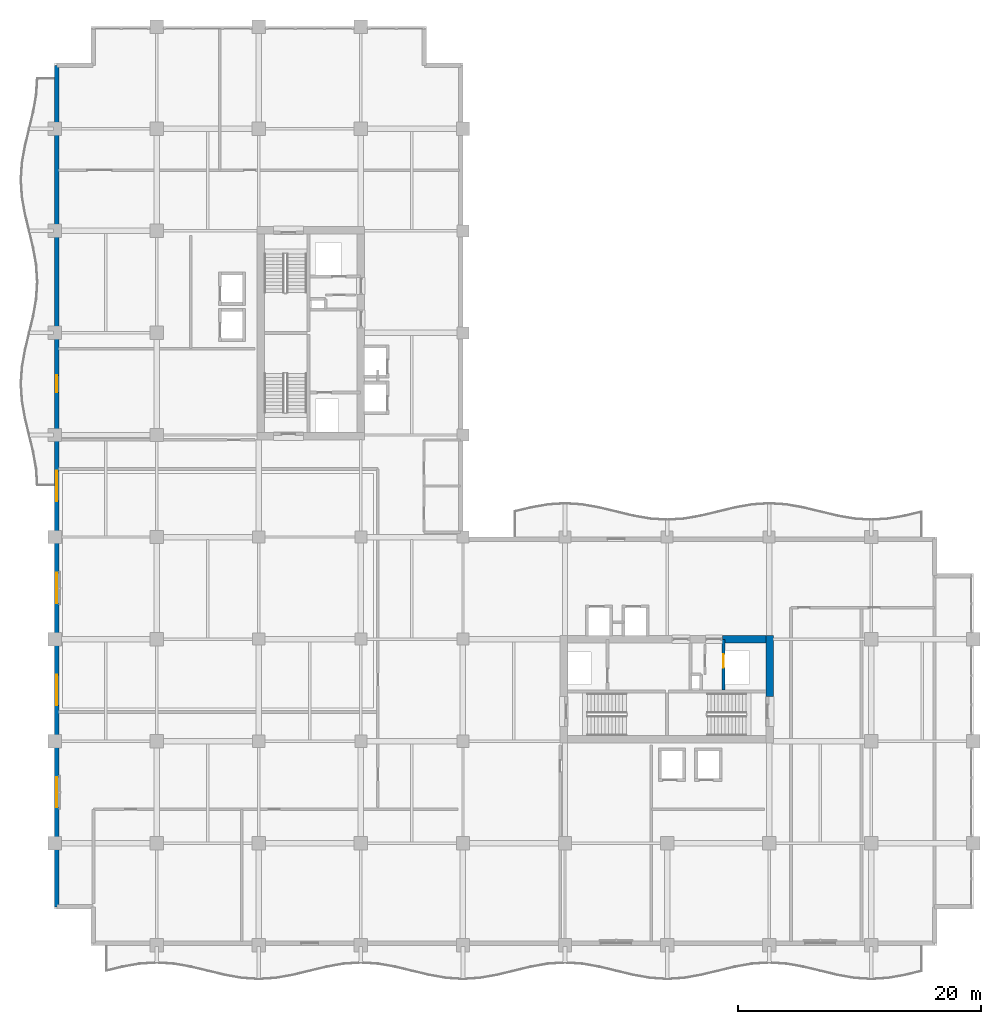
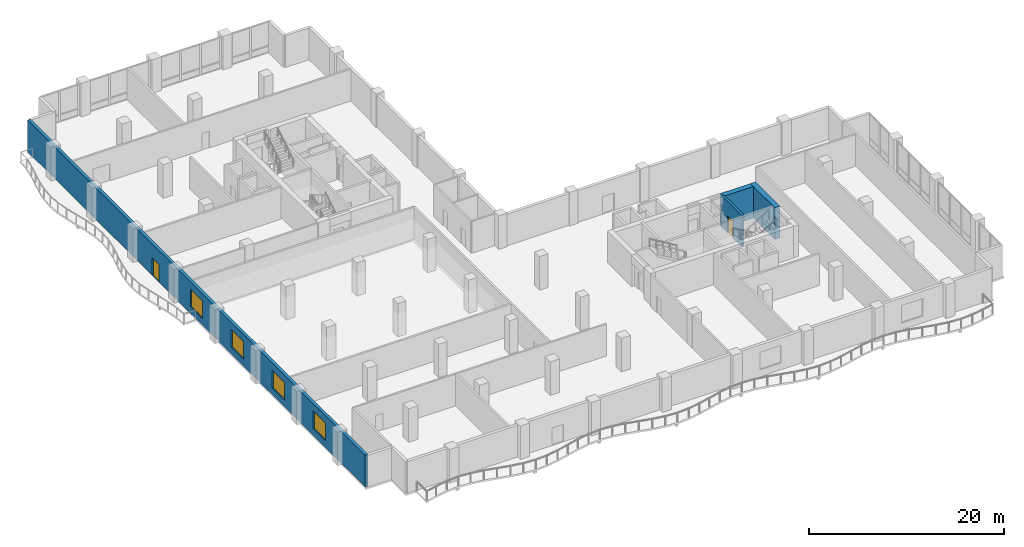
# One storey, part 12 of 22: 4 walls, 4 windows, 2 doors, 6 openings.
"""IFC4 building model written with IfcOpenShell, lengths in metres."""

import ifcopenshell
import ifcopenshell.guid

model = None  # the IFC model being written
_history = None  # IfcOwnerHistory: only IFC2X3 demands one
_inside = {}  # id of a spatial element -> (the spatial element, [elements in it])
_under = {}  # id of a project, library or spatial element -> (it, [spatial elements below it])
_declared = {}  # id of a project -> (the project, [libraries it declares])
_typed = {}  # id of a type object -> (the type object, [elements of that type])
_made_of = {}  # id of a material, layer set ... -> (it, [elements and type objects made of it])


def new_model(schema):
    """Start an empty IFC model of exactly this schema.

    Asked for "IFC4X3", IfcOpenShell would pick the latest addendum, in which some entities
    have other attributes; the version numbers below select the first issue.
    IFC2X3 requires an IfcOwnerHistory on every rooted entity: one is made here for all.
    """
    global model, _history
    if schema == "IFC4X3":
        model = ifcopenshell.file(schema_version=(4, 3, 0, 0))
    else:
        model = ifcopenshell.file(schema=schema)
    _inside.clear()
    _under.clear()
    _declared.clear()
    _typed.clear()
    _made_of.clear()
    _history = None
    if model.schema == "IFC2X3":
        org = make("IfcOrganization", Name="unknown")
        user = make(
            "IfcPersonAndOrganization",
            ThePerson=make("IfcPerson", FamilyName="unknown"),
            TheOrganization=org,
        )
        app = make(
            "IfcApplication",
            ApplicationDeveloper=org,
            Version="unknown",
            ApplicationFullName="unknown",
            ApplicationIdentifier="unknown",
        )
        _history = make(
            "IfcOwnerHistory",
            OwningUser=user,
            OwningApplication=app,
            ChangeAction="ADDED",
            CreationDate=0,
        )
    return model


def make(cls, **values):
    """One entity of the class cls with the attributes given. An attribute that is None is left unset."""
    return model.create_entity(
        cls, **{name: value for name, value in values.items() if value is not None}
    )


def rooted(cls, **values):
    """An entity with a GlobalId (a new one), such as an element, a storey or a relation."""
    return make(cls, GlobalId=ifcopenshell.guid.new(), OwnerHistory=_history, **values)


def si_unit(unit_type, name, prefix=None):
    """IfcSIUnit, for example si_unit("LENGTHUNIT", "METRE", prefix="MILLI")."""
    return make("IfcSIUnit", UnitType=unit_type, Prefix=prefix, Name=name)


def assignment(units):
    """IfcUnitAssignment: the units of a project."""
    return None if units is None else make("IfcUnitAssignment", Units=units)


def point(xyz):
    """IfcCartesianPoint."""
    return None if xyz is None else make("IfcCartesianPoint", Coordinates=xyz)


def direction(xyz):
    """IfcDirection."""
    return None if xyz is None else make("IfcDirection", DirectionRatios=xyz)


def frame(location, z_axis=None, x_axis=None):
    """IfcAxis2Placement3D, a coordinate frame: its origin and axes. An axis left out is left unset."""
    return make(
        "IfcAxis2Placement3D",
        Location=point(location),
        Axis=direction(z_axis),
        RefDirection=direction(x_axis),
    )


def frame_2d(location, x_axis=None):
    """IfcAxis2Placement2D, a coordinate frame in the plane: its origin and x axis."""
    return make(
        "IfcAxis2Placement2D", Location=point(location), RefDirection=direction(x_axis)
    )


def origin():
    """The frame at (0, 0, 0) with its axes left unset."""
    return frame((0.0, 0.0, 0.0))


def place(relative_to, where):
    """IfcLocalPlacement: puts the frame where relative to a parent placement (None: the world)."""
    return make(
        "IfcLocalPlacement", PlacementRelTo=relative_to, RelativePlacement=where
    )


def context(
    kind, dimensions, precision=None, world=None, true_north=None, identifier=None
):
    """IfcGeometricRepresentationContext, for example the 3D "Model" context."""
    return make(
        "IfcGeometricRepresentationContext",
        ContextIdentifier=identifier,
        ContextType=kind,
        CoordinateSpaceDimension=dimensions,
        Precision=precision,
        WorldCoordinateSystem=world,
        TrueNorth=true_north,
    )


def subcontext(parent, identifier, kind, view, scale=None):
    """IfcGeometricRepresentationSubContext, for example "Body" below "Model"."""
    return make(
        "IfcGeometricRepresentationSubContext",
        ContextIdentifier=identifier,
        ContextType=kind,
        ParentContext=parent,
        TargetScale=scale,
        TargetView=view,
    )


def project(units=None, contexts=None):
    """IfcProject with its units and contexts."""
    return rooted(
        "IfcProject",
        Name="project",
        RepresentationContexts=contexts,
        UnitsInContext=assignment(units),
    )


def spatial(cls, under=None, at=None, **own):
    """A site, building, storey or space (cls), placed at a placement, below another one or the project."""
    s = rooted(cls, ObjectPlacement=at, **own)
    if under is not None:
        _under.setdefault(under.id(), (under, []))[1].append(s)
    return s


def profile(cls, at=None, kind="AREA", **sizes):
    """A parametric profile (cls). Its sizes go by their IFC names, for example OverallWidth=200.0."""
    return make(cls, ProfileType=kind, Position=at, **sizes)


def rectangle(**sizes):
    """IfcRectangleProfileDef."""
    return profile("IfcRectangleProfileDef", **sizes)


def extrude(swept, where, along, depth):
    """IfcExtrudedAreaSolid: the profile swept, set in the frame where, extruded along a direction by depth."""
    return make(
        "IfcExtrudedAreaSolid",
        SweptArea=swept,
        Position=where,
        ExtrudedDirection=direction(along),
        Depth=depth,
    )


def shape(context_of_items, identifier, shape_type, items):
    """IfcShapeRepresentation: the items that make up one representation, for example the "Body"."""
    return make(
        "IfcShapeRepresentation",
        ContextOfItems=context_of_items,
        RepresentationIdentifier=identifier,
        RepresentationType=shape_type,
        Items=items,
    )


def material(Name=None, Category=None):
    """IfcMaterial."""
    return make("IfcMaterial", Name=Name, Category=Category)


def layer(
    of_material, thickness, ventilated=None, Name=None, Category=None, Priority=None
):
    """IfcMaterialLayer: one layer of a wall or slab, of a material (None: an air gap)."""
    return make(
        "IfcMaterialLayer",
        Material=of_material,
        LayerThickness=thickness,
        IsVentilated=ventilated,
        Name=Name,
        Category=Category,
        Priority=Priority,
    )


def layer_set(layers, Name=None):
    """IfcMaterialLayerSet."""
    return make("IfcMaterialLayerSet", MaterialLayers=layers, LayerSetName=Name)


def made_of(thing, what):
    """Note that an element or type object is made of a material, layer set ...; save() writes the relation."""
    if what is not None:
        _made_of.setdefault(what.id(), (what, []))[1].append(thing)
    return thing


def type_object(cls, material=None, **own):
    """A type object (cls), such as IfcWallType, which elements share."""
    return made_of(rooted(cls, **own), material)


def element(
    cls,
    number,
    at=None,
    inside=None,
    cuts=None,
    type_object=None,
    material=None,
    context=None,
    identifier="Body",
    shape_type=None,
    held_by="IfcProductDefinitionShape",
    body=None,
    shapes=None,
    **own,
):
    """One element of the class cls, such as IfcWall. Its Tag is "e" and its number.

    at: its placement. inside: the storey or other place that contains it. cuts: it is an
    opening in that element (IfcRelVoidsElement). A single representation is given by context,
    identifier, shape_type and body (its items); several are given by shapes. held_by: the class
    of the entity that holds the representations. save() writes the other relations.
    """
    e = rooted(cls, Tag="e%d" % number, ObjectPlacement=at, **own)
    if body is not None:
        shapes = [shape(context, identifier, shape_type, body)]
    if shapes is not None:
        e.Representation = make(held_by, Representations=shapes)
    if inside is not None:
        _inside.setdefault(inside.id(), (inside, []))[1].append(e)
    if cuts is not None:
        rooted(
            "IfcRelVoidsElement", RelatingBuildingElement=cuts, RelatedOpeningElement=e
        )
    if type_object is not None:
        _typed.setdefault(type_object.id(), (type_object, []))[1].append(e)
    return made_of(e, material)


def fill(opening, filler):
    """IfcRelFillsElement: the door or window that sits in an opening."""
    return rooted(
        "IfcRelFillsElement",
        RelatingOpeningElement=opening,
        RelatedBuildingElement=filler,
    )


def aggregate(whole, parts):
    """IfcRelAggregates: a whole, such as a stair, and the parts it consists of."""
    return rooted("IfcRelAggregates", RelatingObject=whole, RelatedObjects=parts)


def save(model, path):
    """Write the relations noted so far, then the file.

    IfcRelAggregates (storeys below a building ...), IfcRelContainedInSpatialStructure (elements
    in a storey), IfcRelDefinesByType, IfcRelAssociatesMaterial and IfcRelDeclares: one each for
    every whole, place, type object, material and project.
    """
    for whole, parts in _under.values():
        aggregate(whole, parts)
    for where, things in _inside.values():
        rooted(
            "IfcRelContainedInSpatialStructure",
            RelatedElements=things,
            RelatingStructure=where,
        )
    for kind, things in _typed.values():
        rooted("IfcRelDefinesByType", RelatedObjects=things, RelatingType=kind)
    for what, things in _made_of.values():
        rooted("IfcRelAssociatesMaterial", RelatedObjects=things, RelatingMaterial=what)
    for by, libraries in _declared.values():
        rooted("IfcRelDeclares", RelatingContext=by, RelatedDefinitions=libraries)
    model.write(path)


model = new_model("IFC4")

# Units and contexts
model_context = context("Model", 3, precision=1e-05, world=origin(), true_north=direction((0.0, 1.0)))
body_context = subcontext(model_context, "Body", "Model", "MODEL_VIEW")
ifc_project = project(units=[si_unit("LENGTHUNIT", "METRE"), si_unit("AREAUNIT", "SQUARE_METRE"), si_unit("VOLUMEUNIT", "CUBIC_METRE"), si_unit("PLANEANGLEUNIT", "RADIAN"), si_unit("MASSUNIT", "GRAM", prefix="KILO")], contexts=[model_context])

# Site, building, storey
site_placement = place(None, origin())
site = spatial("IfcSite", under=ifc_project, at=site_placement, CompositionType="ELEMENT")
building_placement = place(site_placement, origin())
building = spatial("IfcBuilding", under=site, at=building_placement, Name="Koriwani Terraces Tower", CompositionType="ELEMENT")
storey_placement = place(building_placement, frame((0.0, 0.0, 219.800048828125)))
storey = spatial("IfcBuildingStorey", under=building, at=storey_placement, Name="L54", CompositionType="ELEMENT", Elevation=219.800048828125)

# Walls
ifc_material_1 = material(Name="Concrete C60/75", Category="concrete")
ifc_layer_1 = layer(ifc_material_1, 0.60009765625, Name="Concrete C60/75")
ifc_layer_set_1 = layer_set([ifc_layer_1], Name="Concrete C60/75")
wall_type_1 = type_object("IfcWallType", Name="WALL_CORE_RC_600", PredefinedType="SHEAR", material=ifc_layer_set_1)
wall_1_placement = place(storey_placement, frame((58.85009765625, 20.5, 0.0), z_axis=(0.0, 0.0, 1.0), x_axis=(0.0, 1.0, 0.0)))
element("IfcWall", 1, at=wall_1_placement, inside=storey, type_object=wall_type_1, Name="L54 East Split Core Shear Wall E2", PredefinedType="SHEAR", context=body_context, shape_type="SweptSolid", body=[
    extrude(rectangle(XDim=5.0, YDim=0.60009765625, at=frame_2d((2.5, 0.0))), origin(), (0.0, 0.0, 1.0), 3.969970703125),
])
wall_2_placement = place(storey_placement, frame((54.949951171875, 25.199951171875, 0.0), z_axis=(0.0, 0.0, 1.0), x_axis=(1.0, 0.0, 0.0)))
element("IfcWall", 2, at=wall_2_placement, inside=storey, type_object=wall_type_1, Name="L54 East Split Core Shear Wall N3", PredefinedType="SHEAR", context=body_context, shape_type="SweptSolid", body=[
    extrude(rectangle(XDim=3.60009765625, YDim=0.60009765625, at=frame_2d((1.800048828125, 0.0))), origin(), (0.0, 0.0, 1.0), 3.969970703125),
])

# Wall, openings, door, windows
ifc_material_2 = material(Name="Concrete C50/60", Category="concrete")
ifc_layer_2 = layer(ifc_material_2, 0.35009765625, Name="Concrete C50/60")
ifc_layer_set_2 = layer_set([ifc_layer_2], Name="Concrete C50/60")
wall_type_2 = type_object("IfcWallType", Name="WALL_EXT_BRUTALIST_350", PredefinedType="STANDARD", material=ifc_layer_set_2)
wall_3_placement = place(storey_placement, frame((0.175048828125, 3.175048828125, 0.0), z_axis=(0.0, 0.0, 1.0), x_axis=(0.0, 1.0, 0.0)))
wall_3 = element("IfcWall", 3, at=wall_3_placement, inside=storey, type_object=wall_type_2, Name="L54 Fair-Faced Brutalist Exterior Wall (W)", PredefinedType="STANDARD", context=body_context, shape_type="SweptSolid", body=[
    extrude(rectangle(XDim=69.25, YDim=0.35009765625, at=frame_2d((34.625, 0.0))), origin(), (0.0, 0.0, 1.0), 3.969970703125),
])
opening_1_placement = place(wall_3_placement, frame((42.324951171875, 0.0, 0.0)))
opening_1 = element("IfcOpeningElement", 4, at=opening_1_placement, cuts=wall_3, Name="Opening D-09", PredefinedType="OPENING", context=body_context, shape_type="SweptSolid", body=[
    extrude(rectangle(XDim=1.39990234375, YDim=2.199951171875, at=frame_2d((0.699951171875, 1.10009765625))), frame((0.0, 0.18505859375, 0.0), z_axis=(0.0, -1.0, 0.0), x_axis=(1.0, 0.0, 0.0)), (0.0, 0.0, 1.0), 0.3701171875),
])
opening_2_placement = place(wall_3_placement, frame((8.175048828125, 0.0, 0.85009765625)))
opening_2 = element("IfcOpeningElement", 5, at=opening_2_placement, cuts=wall_3, Name="Opening W-07", PredefinedType="OPENING", context=body_context, shape_type="SweptSolid", body=[
    extrude(rectangle(XDim=2.5, YDim=2.199951171875, at=frame_2d((1.25, 1.10009765625))), frame((0.0, 0.18505859375, 0.0), z_axis=(0.0, -1.0, 0.0), x_axis=(1.0, 0.0, 0.0)), (0.0, 0.0, 1.0), 0.3701171875),
])
opening_3_placement = place(wall_3_placement, frame((16.574951171875, 0.0, 0.85009765625)))
opening_3 = element("IfcOpeningElement", 6, at=opening_3_placement, cuts=wall_3, Name="Opening W-07", PredefinedType="OPENING", context=body_context, shape_type="SweptSolid", body=[
    extrude(rectangle(XDim=2.5, YDim=2.199951171875, at=frame_2d((1.25, 1.10009765625))), frame((0.0, 0.18505859375, 0.0), z_axis=(0.0, -1.0, 0.0), x_axis=(1.0, 0.0, 0.0)), (0.0, 0.0, 1.0), 0.3701171875),
])
opening_4_placement = place(wall_3_placement, frame((24.97509765625, 0.0, 0.85009765625)))
opening_4 = element("IfcOpeningElement", 7, at=opening_4_placement, cuts=wall_3, Name="Opening W-07", PredefinedType="OPENING", context=body_context, shape_type="SweptSolid", body=[
    extrude(rectangle(XDim=2.5, YDim=2.199951171875, at=frame_2d((1.25, 1.10009765625))), frame((0.0, 0.18505859375, 0.0), z_axis=(0.0, -1.0, 0.0), x_axis=(1.0, 0.0, 0.0)), (0.0, 0.0, 1.0), 0.3701171875),
])
opening_5_placement = place(wall_3_placement, frame((33.375, 0.0, 0.85009765625)))
opening_5 = element("IfcOpeningElement", 8, at=opening_5_placement, cuts=wall_3, Name="Opening W-07", PredefinedType="OPENING", context=body_context, shape_type="SweptSolid", body=[
    extrude(rectangle(XDim=2.5, YDim=2.199951171875, at=frame_2d((1.25, 1.10009765625))), frame((0.0, 0.18505859375, 0.0), z_axis=(0.0, -1.0, 0.0), x_axis=(1.0, 0.0, 0.0)), (0.0, 0.0, 1.0), 0.3701171875),
])
ifc_material_3 = material(Name="Anodised Bronze Aluminium", Category="aluminium")
door_type_1 = type_object("IfcDoorType", Name="DOOR_BALCONY_GLAZED_1400X2200", OperationType="NOTDEFINED", PredefinedType="DOOR", material=ifc_material_3)
door_1_placement = place(opening_1_placement, origin())
door_1 = element("IfcDoor", 9, at=door_1_placement, inside=storey, type_object=door_type_1, Name="L54 West Balcony Glazed Door", OperationType="SINGLE_SWING_LEFT", OverallHeight=2.199951171875, OverallWidth=1.39990234375, PredefinedType="DOOR", context=body_context, shape_type="SweptSolid", body=[
    extrude(rectangle(XDim=1.39990234375, YDim=2.199951171875, at=frame_2d((0.699951171875, 1.10009765625))), frame((0.0, 0.02490234375, 0.0), z_axis=(0.0, -1.0, 0.0), x_axis=(1.0, 0.0, 0.0)), (0.0, 0.0, 1.0), 0.050048828125),
])
fill(opening_1, door_1)
ifc_material_4 = material(Name="Tempered Laminated Low-E Glass", Category="glass")
window_type = type_object("IfcWindowType", Name="WIN_SKY_LOUNGE_2500X2200", PartitioningType="SINGLE_PANEL", PredefinedType="WINDOW", material=ifc_material_4)
window_1_placement = place(opening_2_placement, origin())
window_1 = element("IfcWindow", 10, at=window_1_placement, inside=storey, type_object=window_type, Name="L54 Exterior Window (W-3)", OverallHeight=2.199951171875, OverallWidth=2.5, PartitioningType="SINGLE_PANEL", PredefinedType="WINDOW", context=body_context, shape_type="SweptSolid", body=[
    extrude(rectangle(XDim=2.5, YDim=2.199951171875, at=frame_2d((1.25, 1.10009765625))), frame((0.0, 0.030029296875, 0.0), z_axis=(0.0, -1.0, 0.0), x_axis=(1.0, 0.0, 0.0)), (0.0, 0.0, 1.0), 0.06005859375),
])
fill(opening_2, window_1)
window_2_placement = place(opening_3_placement, origin())
window_2 = element("IfcWindow", 11, at=window_2_placement, inside=storey, type_object=window_type, Name="L54 Exterior Window (W-6)", OverallHeight=2.199951171875, OverallWidth=2.5, PartitioningType="SINGLE_PANEL", PredefinedType="WINDOW", context=body_context, shape_type="SweptSolid", body=[
    extrude(rectangle(XDim=2.5, YDim=2.199951171875, at=frame_2d((1.25, 1.10009765625))), frame((0.0, 0.030029296875, 0.0), z_axis=(0.0, -1.0, 0.0), x_axis=(1.0, 0.0, 0.0)), (0.0, 0.0, 1.0), 0.06005859375),
])
fill(opening_3, window_2)
window_3_placement = place(opening_4_placement, origin())
window_3 = element("IfcWindow", 12, at=window_3_placement, inside=storey, type_object=window_type, Name="L54 Exterior Window (W-9)", OverallHeight=2.199951171875, OverallWidth=2.5, PartitioningType="SINGLE_PANEL", PredefinedType="WINDOW", context=body_context, shape_type="SweptSolid", body=[
    extrude(rectangle(XDim=2.5, YDim=2.199951171875, at=frame_2d((1.25, 1.10009765625))), frame((0.0, 0.030029296875, 0.0), z_axis=(0.0, -1.0, 0.0), x_axis=(1.0, 0.0, 0.0)), (0.0, 0.0, 1.0), 0.06005859375),
])
fill(opening_4, window_3)
window_4_placement = place(opening_5_placement, origin())
window_4 = element("IfcWindow", 13, at=window_4_placement, inside=storey, type_object=window_type, Name="L54 Exterior Window (W-12)", OverallHeight=2.199951171875, OverallWidth=2.5, PartitioningType="SINGLE_PANEL", PredefinedType="WINDOW", context=body_context, shape_type="SweptSolid", body=[
    extrude(rectangle(XDim=2.5, YDim=2.199951171875, at=frame_2d((1.25, 1.10009765625))), frame((0.0, 0.030029296875, 0.0), z_axis=(0.0, -1.0, 0.0), x_axis=(1.0, 0.0, 0.0)), (0.0, 0.0, 1.0), 0.06005859375),
])
fill(opening_5, window_4)

# Wall, opening, door
ifc_material_5 = material(Name="Concrete C40/50", Category="concrete")
ifc_layer_3 = layer(ifc_material_5, 0.25, Name="Concrete C40/50")
ifc_layer_set_3 = layer_set([ifc_layer_3], Name="Concrete C40/50")
wall_type_3 = type_object("IfcWallType", Name="WALL_SHAFT_RATED_250", PredefinedType="SOLIDWALL", material=ifc_layer_set_3)
wall_4_placement = place(storey_placement, frame((55.050048828125, 21.0, 0.0), z_axis=(0.0, 0.0, 1.0), x_axis=(0.0, 1.0, 0.0)))
wall_4 = element("IfcWall", 14, at=wall_4_placement, inside=storey, type_object=wall_type_3, Name="L54 Interior Wall WIN-CE-L54-SE", PredefinedType="SOLIDWALL", context=body_context, shape_type="SweptSolid", body=[
    extrude(rectangle(XDim=4.14990234375, YDim=0.25, at=frame_2d((2.074951171875, 0.0))), origin(), (0.0, 0.0, 1.0), 3.969970703125),
])
opening_6_placement = place(wall_4_placement, frame((1.85009765625, 0.0, 0.0)))
opening_6 = element("IfcOpeningElement", 15, at=opening_6_placement, cuts=wall_4, Name="Opening LD-01", PredefinedType="OPENING", context=body_context, shape_type="SweptSolid", body=[
    extrude(rectangle(XDim=1.10009765625, YDim=2.14990234375, at=frame_2d((0.550048828125, 1.074951171875))), frame((0.0, 0.135009765625, 0.0), z_axis=(0.0, -1.0, 0.0), x_axis=(1.0, 0.0, 0.0)), (0.0, 0.0, 1.0), 0.27001953125),
])
ifc_material_6 = material(Name="Steel ASTM A572 Grade 50", Category="steel")
door_type_2 = type_object("IfcDoorType", Name="DOOR_LIFT_LANDING_1100X2200", OperationType="NOTDEFINED", PredefinedType="DOOR", material=ifc_material_6)
door_2_placement = place(opening_6_placement, origin())
door_2 = element("IfcDoor", 16, at=door_2_placement, inside=storey, type_object=door_type_2, Name="L54 Goods Lift SE-02 Landing Door", OperationType="SLIDING_TO_LEFT", OverallHeight=2.14990234375, OverallWidth=1.10009765625, PredefinedType="DOOR", context=body_context, shape_type="SweptSolid", body=[
    extrude(rectangle(XDim=1.10009765625, YDim=2.14990234375, at=frame_2d((0.550048828125, 1.074951171875))), frame((0.0, 0.02490234375, 0.0), z_axis=(0.0, -1.0, 0.0), x_axis=(1.0, 0.0, 0.0)), (0.0, 0.0, 1.0), 0.050048828125),
])
fill(opening_6, door_2)

save(model, "model.ifc")
